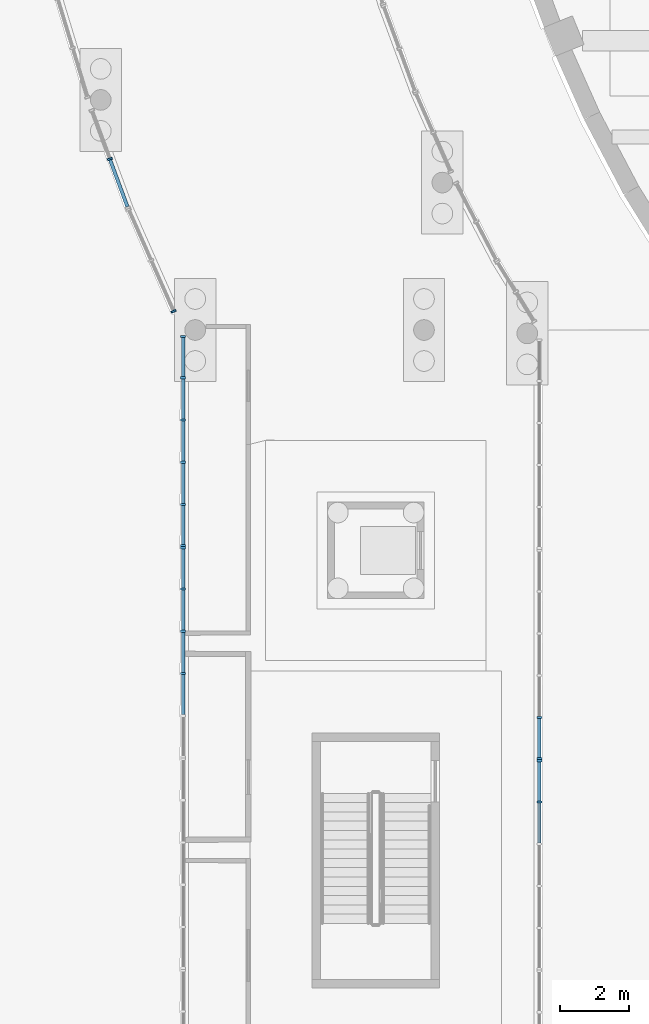
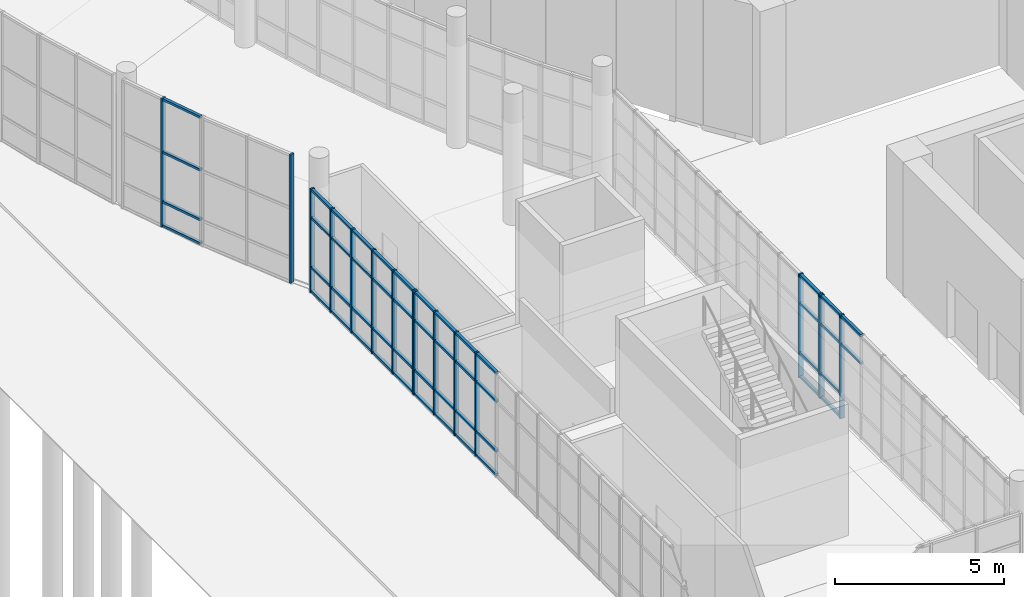
# One storey, part 14 of 110: 66 members, 6 elements without a shape of their own.
"""IFC4 building model written with IfcOpenShell, lengths in metres."""

from ifc_helpers import new_model, si_unit, direction, frame, origin, origin_2d, place, context, subcontext, project, spatial, rectangle, extrude, material, layer, layer_set, material_profile, profile_set, type_object, element, aggregate, save


model = new_model("IFC4")

# Units and contexts
model_context = context("Model", 3, precision=1e-05, world=origin(), true_north=direction((0.0, 1.0)))
body_context = subcontext(model_context, "Body", "Model", "MODEL_VIEW")
ifc_project = project(units=[si_unit("LENGTHUNIT", "METRE"), si_unit("AREAUNIT", "SQUARE_METRE"), si_unit("VOLUMEUNIT", "CUBIC_METRE"), si_unit("PLANEANGLEUNIT", "RADIAN"), si_unit("MASSUNIT", "GRAM", prefix="KILO")], contexts=[model_context])

# Site, building, storey
site_placement = place(None, origin())
site = spatial("IfcSite", under=ifc_project, at=site_placement, CompositionType="ELEMENT")
building_placement = place(site_placement, origin())
building = spatial("IfcBuilding", under=site, at=building_placement, Name="Larchfold Concert Hall", CompositionType="ELEMENT")
storey_placement = place(building_placement, origin())
storey = spatial("IfcBuildingStorey", under=building, at=storey_placement, Name="L00", CompositionType="ELEMENT", Elevation=0.0)

# Curtain wall, member
ifc_material_1 = material(Name="Anodised graphite aluminium curtain wall", Category="aluminium")
ifc_layer = layer(ifc_material_1, 0.14990234375)
ifc_layer_set = layer_set([ifc_layer], Name="Anodised graphite aluminium curtain wall")
curtain_wall_type = type_object("IfcCurtainWallType", Name="Curtain wall WG", PredefinedType="NOTDEFINED", material=ifc_layer_set)
curtain_wall_1_placement = place(storey_placement, origin())
curtain_wall_1 = element("IfcCurtainWall", 1, at=curtain_wall_1_placement, inside=storey, type_object=curtain_wall_type, Name="Curtain wall CW0125", PredefinedType="NOTDEFINED")
ifc_material_2 = material(Name="Anodised graphite aluminium mullion", Category="aluminium")
ifc_material_profile_1 = material_profile(ifc_material_2, rectangle(XDim=0.14990234375, YDim=0.06005859375, at=origin_2d()))
ifc_profile_set_1 = profile_set([ifc_material_profile_1], Name="Anodised graphite aluminium mullion")
member_type_1 = type_object("IfcMemberType", Name="Aluminium mullion 60x150", PredefinedType="MULLION", material=ifc_profile_set_1)
member_1_placement = place(storey_placement, frame((8.2783203125, 64.364013671875, 0.0), z_axis=(0.0, 0.0, 1.0), x_axis=(0.938015834921, 0.346592402451, 0.0)))
member_1 = element("IfcMember", 2, at=member_1_placement, type_object=member_type_1, Name="CW0125 mullion 2", PredefinedType="MULLION", context=body_context, shape_type="SweptSolid", body=[
    extrude(rectangle(XDim=0.14990234375, YDim=0.06005859375, at=origin_2d()), origin(), (0.0, 0.0, 1.0), 4.64990234375),
])

curtain_wall_2_placement = place(storey_placement, origin())
curtain_wall_2 = element("IfcCurtainWall", 3, at=curtain_wall_2_placement, inside=storey, type_object=curtain_wall_type, Name="Curtain wall CW0126", PredefinedType="NOTDEFINED")
member_2_placement = place(storey_placement, frame((10.127685546875, 59.941650390625, 0.0), z_axis=(0.0, 0.0, 1.0), x_axis=(0.914703196701, 0.404126294549, 0.0)))
member_2 = element("IfcMember", 4, at=member_2_placement, type_object=member_type_1, Name="CW0126 mullion 3", PredefinedType="MULLION", context=body_context, shape_type="SweptSolid", body=[
    extrude(rectangle(XDim=0.14990234375, YDim=0.06005859375, at=origin_2d()), origin(), (0.0, 0.0, 1.0), 4.64990234375),
])
aggregate(curtain_wall_2, [member_2])

# Curtain wall, members
curtain_wall_3_placement = place(storey_placement, origin())
curtain_wall_3 = element("IfcCurtainWall", 5, at=curtain_wall_3_placement, inside=storey, type_object=curtain_wall_type, Name="Curtain wall CW0127", PredefinedType="NOTDEFINED")
member_3_placement = place(storey_placement, frame((10.408447265625, 59.211181640625, 0.0), z_axis=(0.0, 0.0, 1.0), x_axis=(1.0, 0.0, 0.0)))
member_3 = element("IfcMember", 6, at=member_3_placement, type_object=member_type_1, Name="CW0127 mullion 1", PredefinedType="MULLION", context=body_context, shape_type="SweptSolid", body=[
    extrude(rectangle(XDim=0.14990234375, YDim=0.06005859375, at=origin_2d()), origin(), (0.0, 0.0, 1.0), 3.75),
])
member_4_placement = place(storey_placement, frame((10.408447265625, 58.0146484375, 0.0), z_axis=(0.0, 0.0, 1.0), x_axis=(1.0, 0.0, 0.0)))
member_4 = element("IfcMember", 7, at=member_4_placement, type_object=member_type_1, Name="CW0127 mullion 2", PredefinedType="MULLION", context=body_context, shape_type="SweptSolid", body=[
    extrude(rectangle(XDim=0.14990234375, YDim=0.06005859375, at=origin_2d()), origin(), (0.0, 0.0, 1.0), 3.75),
])
member_5_placement = place(storey_placement, frame((10.408447265625, 56.7880859375, 0.0), z_axis=(0.0, 0.0, 1.0), x_axis=(1.0, 0.0, 0.0)))
member_5 = element("IfcMember", 8, at=member_5_placement, type_object=member_type_1, Name="CW0127 mullion 3", PredefinedType="MULLION", context=body_context, shape_type="SweptSolid", body=[
    extrude(rectangle(XDim=0.14990234375, YDim=0.06005859375, at=origin_2d()), origin(), (0.0, 0.0, 1.0), 3.75),
])
member_6_placement = place(storey_placement, frame((10.408447265625, 55.561279296875, 0.0), z_axis=(0.0, 0.0, 1.0), x_axis=(1.0, 0.0, 0.0)))
member_6 = element("IfcMember", 9, at=member_6_placement, type_object=member_type_1, Name="CW0127 mullion 4", PredefinedType="MULLION", context=body_context, shape_type="SweptSolid", body=[
    extrude(rectangle(XDim=0.14990234375, YDim=0.06005859375, at=origin_2d()), origin(), (0.0, 0.0, 1.0), 3.75),
])
member_7_placement = place(storey_placement, frame((10.408447265625, 54.334716796875, 0.0), z_axis=(0.0, 0.0, 1.0), x_axis=(1.0, 0.0, 0.0)))
member_7 = element("IfcMember", 10, at=member_7_placement, type_object=member_type_1, Name="CW0127 mullion 5", PredefinedType="MULLION", context=body_context, shape_type="SweptSolid", body=[
    extrude(rectangle(XDim=0.14990234375, YDim=0.06005859375, at=origin_2d()), origin(), (0.0, 0.0, 1.0), 3.75),
])
member_8_placement = place(storey_placement, frame((10.408447265625, 53.13818359375, 0.0), z_axis=(0.0, 0.0, 1.0), x_axis=(1.0, 0.0, 0.0)))
member_8 = element("IfcMember", 11, at=member_8_placement, type_object=member_type_1, Name="CW0127 mullion 6", PredefinedType="MULLION", context=body_context, shape_type="SweptSolid", body=[
    extrude(rectangle(XDim=0.14990234375, YDim=0.06005859375, at=origin_2d()), origin(), (0.0, 0.0, 1.0), 3.75),
])

curtain_wall_4_placement = place(storey_placement, origin())
curtain_wall_4 = element("IfcCurtainWall", 12, at=curtain_wall_4_placement, inside=storey, type_object=curtain_wall_type, Name="Curtain wall CW0128", PredefinedType="NOTDEFINED")
member_9_placement = place(storey_placement, frame((10.408447265625, 53.078125, 0.0), z_axis=(0.0, 0.0, 1.0), x_axis=(1.0, 0.0, 0.0)))
member_9 = element("IfcMember", 13, at=member_9_placement, type_object=member_type_1, Name="CW0128 mullion 1", PredefinedType="MULLION", context=body_context, shape_type="SweptSolid", body=[
    extrude(rectangle(XDim=0.14990234375, YDim=0.06005859375, at=origin_2d()), origin(), (0.0, 0.0, 1.0), 3.75),
])
member_10_placement = place(storey_placement, frame((10.408447265625, 51.881591796875, 0.0), z_axis=(0.0, 0.0, 1.0), x_axis=(1.0, 0.0, 0.0)))
member_10 = element("IfcMember", 14, at=member_10_placement, type_object=member_type_1, Name="CW0128 mullion 2", PredefinedType="MULLION", context=body_context, shape_type="SweptSolid", body=[
    extrude(rectangle(XDim=0.14990234375, YDim=0.06005859375, at=origin_2d()), origin(), (0.0, 0.0, 1.0), 3.75),
])
member_11_placement = place(storey_placement, frame((10.408447265625, 50.655029296875, 0.0), z_axis=(0.0, 0.0, 1.0), x_axis=(1.0, 0.0, 0.0)))
member_11 = element("IfcMember", 15, at=member_11_placement, type_object=member_type_1, Name="CW0128 mullion 3", PredefinedType="MULLION", context=body_context, shape_type="SweptSolid", body=[
    extrude(rectangle(XDim=0.14990234375, YDim=0.06005859375, at=origin_2d()), origin(), (0.0, 0.0, 1.0), 3.75),
])
member_12_placement = place(storey_placement, frame((10.408447265625, 49.42822265625, 0.0), z_axis=(0.0, 0.0, 1.0), x_axis=(1.0, 0.0, 0.0)))
member_12 = element("IfcMember", 16, at=member_12_placement, type_object=member_type_1, Name="CW0128 mullion 4", PredefinedType="MULLION", context=body_context, shape_type="SweptSolid", body=[
    extrude(rectangle(XDim=0.14990234375, YDim=0.06005859375, at=origin_2d()), origin(), (0.0, 0.0, 1.0), 3.75),
])

curtain_wall_5_placement = place(storey_placement, origin())
curtain_wall_5 = element("IfcCurtainWall", 17, at=curtain_wall_5_placement, inside=storey, type_object=curtain_wall_type, Name="Curtain wall CW0134", PredefinedType="NOTDEFINED")
member_13_placement = place(storey_placement, frame((20.748779296875, 45.703857421875, 0.0), z_axis=(0.0, 0.0, 1.0), x_axis=(-1.0, 0.0, 0.0)))
member_13 = element("IfcMember", 18, at=member_13_placement, type_object=member_type_1, Name="CW0134 mullion 5", PredefinedType="MULLION", context=body_context, shape_type="SweptSolid", body=[
    extrude(rectangle(XDim=0.14990234375, YDim=0.06005859375, at=origin_2d()), origin(), (0.0, 0.0, 1.0), 3.75),
])
member_14_placement = place(storey_placement, frame((20.748779296875, 46.8955078125, 0.0), z_axis=(0.0, 0.0, 1.0), x_axis=(-1.0, 0.0, 0.0)))
member_14 = element("IfcMember", 19, at=member_14_placement, type_object=member_type_1, Name="CW0134 mullion 6", PredefinedType="MULLION", context=body_context, shape_type="SweptSolid", body=[
    extrude(rectangle(XDim=0.14990234375, YDim=0.06005859375, at=origin_2d()), origin(), (0.0, 0.0, 1.0), 3.75),
])

curtain_wall_6_placement = place(storey_placement, origin())
curtain_wall_6 = element("IfcCurtainWall", 20, at=curtain_wall_6_placement, inside=storey, type_object=curtain_wall_type, Name="Curtain wall CW0135", PredefinedType="NOTDEFINED")
member_15_placement = place(storey_placement, frame((20.748779296875, 46.95556640625, 0.0), z_axis=(0.0, 0.0, 1.0), x_axis=(-1.0, 0.0, 0.0)))
member_15 = element("IfcMember", 21, at=member_15_placement, type_object=member_type_1, Name="CW0135 mullion 1", PredefinedType="MULLION", context=body_context, shape_type="SweptSolid", body=[
    extrude(rectangle(XDim=0.14990234375, YDim=0.06005859375, at=origin_2d()), origin(), (0.0, 0.0, 1.0), 3.75),
])
member_16_placement = place(storey_placement, frame((20.748779296875, 48.147216796875, 0.0), z_axis=(0.0, 0.0, 1.0), x_axis=(-1.0, 0.0, 0.0)))
member_16 = element("IfcMember", 22, at=member_16_placement, type_object=member_type_1, Name="CW0135 mullion 2", PredefinedType="MULLION", context=body_context, shape_type="SweptSolid", body=[
    extrude(rectangle(XDim=0.14990234375, YDim=0.06005859375, at=origin_2d()), origin(), (0.0, 0.0, 1.0), 3.75),
])

# Member
ifc_material_3 = material(Name="Anodised graphite aluminium transom", Category="aluminium")
ifc_material_profile_2 = material_profile(ifc_material_3, rectangle(XDim=0.10009765625, YDim=0.080078125, at=origin_2d()))
ifc_profile_set_2 = profile_set([ifc_material_profile_2], Name="Anodised graphite aluminium transom")
member_type_2 = type_object("IfcMemberType", Name="Aluminium transom 80x100", PredefinedType="USERDEFINED", material=ifc_profile_set_2)
member_17_placement = place(storey_placement, frame((8.28857421875, 64.3359375, 0.0400390625), z_axis=(0.346643684981, -0.937996884676, 0.0), x_axis=(0.937996884676, 0.346643684981, 0.0)))
member_17 = element("IfcMember", 23, at=member_17_placement, type_object=member_type_2, Name="CW0125 transom 2.1", ObjectType="TRANSOM", PredefinedType="USERDEFINED", context=body_context, shape_type="SweptSolid", body=[
    extrude(rectangle(XDim=0.10009765625, YDim=0.080078125, at=origin_2d()), origin(), (0.0, 0.0, 1.0), 1.446533203125),
])

member_18_placement = place(storey_placement, frame((8.28857421875, 64.3359375, 0.89990234375), z_axis=(0.346643684981, -0.937996884676, 0.0), x_axis=(0.937996884676, 0.346643684981, 0.0)))
member_18 = element("IfcMember", 24, at=member_18_placement, type_object=member_type_2, Name="CW0125 transom 2.2", ObjectType="TRANSOM", PredefinedType="USERDEFINED", context=body_context, shape_type="SweptSolid", body=[
    extrude(rectangle(XDim=0.10009765625, YDim=0.080078125, at=origin_2d()), origin(), (0.0, 0.0, 1.0), 1.446533203125),
])

member_19_placement = place(storey_placement, frame((8.28857421875, 64.3359375, 2.699951171875), z_axis=(0.346643684981, -0.937996884676, 0.0), x_axis=(0.937996884676, 0.346643684981, 0.0)))
member_19 = element("IfcMember", 25, at=member_19_placement, type_object=member_type_2, Name="CW0125 transom 2.3", ObjectType="TRANSOM", PredefinedType="USERDEFINED", context=body_context, shape_type="SweptSolid", body=[
    extrude(rectangle(XDim=0.10009765625, YDim=0.080078125, at=origin_2d()), origin(), (0.0, 0.0, 1.0), 1.446533203125),
])

member_20_placement = place(storey_placement, frame((8.28857421875, 64.3359375, 4.60986328125), z_axis=(0.346643684981, -0.937996884676, 0.0), x_axis=(0.937996884676, 0.346643684981, 0.0)))
member_20 = element("IfcMember", 26, at=member_20_placement, type_object=member_type_2, Name="CW0125 transom 2.4", ObjectType="TRANSOM", PredefinedType="USERDEFINED", context=body_context, shape_type="SweptSolid", body=[
    extrude(rectangle(XDim=0.10009765625, YDim=0.080078125, at=origin_2d()), origin(), (0.0, 0.0, 1.0), 1.446533203125),
])

aggregate(curtain_wall_1, [member_1, member_17, member_18, member_19, member_20])

member_21_placement = place(storey_placement, frame((10.408447265625, 59.18115234375, 0.0400390625), z_axis=(0.0, -1.0, 0.0), x_axis=(1.0, 0.0, 0.0)))
member_21 = element("IfcMember", 27, at=member_21_placement, type_object=member_type_2, Name="CW0127 transom 1.1", ObjectType="TRANSOM", PredefinedType="USERDEFINED", context=body_context, shape_type="SweptSolid", body=[
    extrude(rectangle(XDim=0.10009765625, YDim=0.080078125, at=origin_2d()), origin(), (0.0, 0.0, 1.0), 1.136474609375),
])

member_22_placement = place(storey_placement, frame((10.408447265625, 59.18115234375, 0.89990234375), z_axis=(0.0, -1.0, 0.0), x_axis=(1.0, 0.0, 0.0)))
member_22 = element("IfcMember", 28, at=member_22_placement, type_object=member_type_2, Name="CW0127 transom 1.2", ObjectType="TRANSOM", PredefinedType="USERDEFINED", context=body_context, shape_type="SweptSolid", body=[
    extrude(rectangle(XDim=0.10009765625, YDim=0.080078125, at=origin_2d()), origin(), (0.0, 0.0, 1.0), 1.136474609375),
])

member_23_placement = place(storey_placement, frame((10.408447265625, 59.18115234375, 2.699951171875), z_axis=(0.0, -1.0, 0.0), x_axis=(1.0, 0.0, 0.0)))
member_23 = element("IfcMember", 29, at=member_23_placement, type_object=member_type_2, Name="CW0127 transom 1.3", ObjectType="TRANSOM", PredefinedType="USERDEFINED", context=body_context, shape_type="SweptSolid", body=[
    extrude(rectangle(XDim=0.10009765625, YDim=0.080078125, at=origin_2d()), origin(), (0.0, 0.0, 1.0), 1.136474609375),
])

member_24_placement = place(storey_placement, frame((10.408447265625, 59.18115234375, 3.7099609375), z_axis=(0.0, -1.0, 0.0), x_axis=(1.0, 0.0, 0.0)))
member_24 = element("IfcMember", 30, at=member_24_placement, type_object=member_type_2, Name="CW0127 transom 1.4", ObjectType="TRANSOM", PredefinedType="USERDEFINED", context=body_context, shape_type="SweptSolid", body=[
    extrude(rectangle(XDim=0.10009765625, YDim=0.080078125, at=origin_2d()), origin(), (0.0, 0.0, 1.0), 1.136474609375),
])

member_25_placement = place(storey_placement, frame((10.408447265625, 57.984619140625, 0.0400390625), z_axis=(0.0, -1.0, 0.0), x_axis=(1.0, 0.0, 0.0)))
member_25 = element("IfcMember", 31, at=member_25_placement, type_object=member_type_2, Name="CW0127 transom 2.1", ObjectType="TRANSOM", PredefinedType="USERDEFINED", context=body_context, shape_type="SweptSolid", body=[
    extrude(rectangle(XDim=0.10009765625, YDim=0.080078125, at=origin_2d()), origin(), (0.0, 0.0, 1.0), 1.166748046875),
])

member_26_placement = place(storey_placement, frame((10.408447265625, 57.984619140625, 0.89990234375), z_axis=(0.0, -1.0, 0.0), x_axis=(1.0, 0.0, 0.0)))
member_26 = element("IfcMember", 32, at=member_26_placement, type_object=member_type_2, Name="CW0127 transom 2.2", ObjectType="TRANSOM", PredefinedType="USERDEFINED", context=body_context, shape_type="SweptSolid", body=[
    extrude(rectangle(XDim=0.10009765625, YDim=0.080078125, at=origin_2d()), origin(), (0.0, 0.0, 1.0), 1.166748046875),
])

member_27_placement = place(storey_placement, frame((10.408447265625, 57.984619140625, 2.699951171875), z_axis=(0.0, -1.0, 0.0), x_axis=(1.0, 0.0, 0.0)))
member_27 = element("IfcMember", 33, at=member_27_placement, type_object=member_type_2, Name="CW0127 transom 2.3", ObjectType="TRANSOM", PredefinedType="USERDEFINED", context=body_context, shape_type="SweptSolid", body=[
    extrude(rectangle(XDim=0.10009765625, YDim=0.080078125, at=origin_2d()), origin(), (0.0, 0.0, 1.0), 1.166748046875),
])

member_28_placement = place(storey_placement, frame((10.408447265625, 57.984619140625, 3.7099609375), z_axis=(0.0, -1.0, 0.0), x_axis=(1.0, 0.0, 0.0)))
member_28 = element("IfcMember", 34, at=member_28_placement, type_object=member_type_2, Name="CW0127 transom 2.4", ObjectType="TRANSOM", PredefinedType="USERDEFINED", context=body_context, shape_type="SweptSolid", body=[
    extrude(rectangle(XDim=0.10009765625, YDim=0.080078125, at=origin_2d()), origin(), (0.0, 0.0, 1.0), 1.166748046875),
])

member_29_placement = place(storey_placement, frame((10.408447265625, 56.758056640625, 0.0400390625), z_axis=(0.0, -1.0, 0.0), x_axis=(1.0, 0.0, 0.0)))
member_29 = element("IfcMember", 35, at=member_29_placement, type_object=member_type_2, Name="CW0127 transom 3.1", ObjectType="TRANSOM", PredefinedType="USERDEFINED", context=body_context, shape_type="SweptSolid", body=[
    extrude(rectangle(XDim=0.10009765625, YDim=0.080078125, at=origin_2d()), origin(), (0.0, 0.0, 1.0), 1.166748046875),
])

member_30_placement = place(storey_placement, frame((10.408447265625, 56.758056640625, 0.89990234375), z_axis=(0.0, -1.0, 0.0), x_axis=(1.0, 0.0, 0.0)))
member_30 = element("IfcMember", 36, at=member_30_placement, type_object=member_type_2, Name="CW0127 transom 3.2", ObjectType="TRANSOM", PredefinedType="USERDEFINED", context=body_context, shape_type="SweptSolid", body=[
    extrude(rectangle(XDim=0.10009765625, YDim=0.080078125, at=origin_2d()), origin(), (0.0, 0.0, 1.0), 1.166748046875),
])

member_31_placement = place(storey_placement, frame((10.408447265625, 56.758056640625, 2.699951171875), z_axis=(0.0, -1.0, 0.0), x_axis=(1.0, 0.0, 0.0)))
member_31 = element("IfcMember", 37, at=member_31_placement, type_object=member_type_2, Name="CW0127 transom 3.3", ObjectType="TRANSOM", PredefinedType="USERDEFINED", context=body_context, shape_type="SweptSolid", body=[
    extrude(rectangle(XDim=0.10009765625, YDim=0.080078125, at=origin_2d()), origin(), (0.0, 0.0, 1.0), 1.166748046875),
])

member_32_placement = place(storey_placement, frame((10.408447265625, 56.758056640625, 3.7099609375), z_axis=(0.0, -1.0, 0.0), x_axis=(1.0, 0.0, 0.0)))
member_32 = element("IfcMember", 38, at=member_32_placement, type_object=member_type_2, Name="CW0127 transom 3.4", ObjectType="TRANSOM", PredefinedType="USERDEFINED", context=body_context, shape_type="SweptSolid", body=[
    extrude(rectangle(XDim=0.10009765625, YDim=0.080078125, at=origin_2d()), origin(), (0.0, 0.0, 1.0), 1.166748046875),
])

member_33_placement = place(storey_placement, frame((10.408447265625, 55.531494140625, 0.0400390625), z_axis=(0.0, -1.0, 0.0), x_axis=(1.0, 0.0, 0.0)))
member_33 = element("IfcMember", 39, at=member_33_placement, type_object=member_type_2, Name="CW0127 transom 4.1", ObjectType="TRANSOM", PredefinedType="USERDEFINED", context=body_context, shape_type="SweptSolid", body=[
    extrude(rectangle(XDim=0.10009765625, YDim=0.080078125, at=origin_2d()), origin(), (0.0, 0.0, 1.0), 1.166748046875),
])

member_34_placement = place(storey_placement, frame((10.408447265625, 55.531494140625, 0.89990234375), z_axis=(0.0, -1.0, 0.0), x_axis=(1.0, 0.0, 0.0)))
member_34 = element("IfcMember", 40, at=member_34_placement, type_object=member_type_2, Name="CW0127 transom 4.2", ObjectType="TRANSOM", PredefinedType="USERDEFINED", context=body_context, shape_type="SweptSolid", body=[
    extrude(rectangle(XDim=0.10009765625, YDim=0.080078125, at=origin_2d()), origin(), (0.0, 0.0, 1.0), 1.166748046875),
])

member_35_placement = place(storey_placement, frame((10.408447265625, 55.531494140625, 2.699951171875), z_axis=(0.0, -1.0, 0.0), x_axis=(1.0, 0.0, 0.0)))
member_35 = element("IfcMember", 41, at=member_35_placement, type_object=member_type_2, Name="CW0127 transom 4.3", ObjectType="TRANSOM", PredefinedType="USERDEFINED", context=body_context, shape_type="SweptSolid", body=[
    extrude(rectangle(XDim=0.10009765625, YDim=0.080078125, at=origin_2d()), origin(), (0.0, 0.0, 1.0), 1.166748046875),
])

member_36_placement = place(storey_placement, frame((10.408447265625, 55.531494140625, 3.7099609375), z_axis=(0.0, -1.0, 0.0), x_axis=(1.0, 0.0, 0.0)))
member_36 = element("IfcMember", 42, at=member_36_placement, type_object=member_type_2, Name="CW0127 transom 4.4", ObjectType="TRANSOM", PredefinedType="USERDEFINED", context=body_context, shape_type="SweptSolid", body=[
    extrude(rectangle(XDim=0.10009765625, YDim=0.080078125, at=origin_2d()), origin(), (0.0, 0.0, 1.0), 1.166748046875),
])

member_37_placement = place(storey_placement, frame((10.408447265625, 54.3046875, 0.0400390625), z_axis=(0.0, -1.0, 0.0), x_axis=(1.0, 0.0, 0.0)))
member_37 = element("IfcMember", 43, at=member_37_placement, type_object=member_type_2, Name="CW0127 transom 5.1", ObjectType="TRANSOM", PredefinedType="USERDEFINED", context=body_context, shape_type="SweptSolid", body=[
    extrude(rectangle(XDim=0.10009765625, YDim=0.080078125, at=origin_2d()), origin(), (0.0, 0.0, 1.0), 1.136474609375),
])

member_38_placement = place(storey_placement, frame((10.408447265625, 54.3046875, 0.89990234375), z_axis=(0.0, -1.0, 0.0), x_axis=(1.0, 0.0, 0.0)))
member_38 = element("IfcMember", 44, at=member_38_placement, type_object=member_type_2, Name="CW0127 transom 5.2", ObjectType="TRANSOM", PredefinedType="USERDEFINED", context=body_context, shape_type="SweptSolid", body=[
    extrude(rectangle(XDim=0.10009765625, YDim=0.080078125, at=origin_2d()), origin(), (0.0, 0.0, 1.0), 1.136474609375),
])

member_39_placement = place(storey_placement, frame((10.408447265625, 54.3046875, 2.699951171875), z_axis=(0.0, -1.0, 0.0), x_axis=(1.0, 0.0, 0.0)))
member_39 = element("IfcMember", 45, at=member_39_placement, type_object=member_type_2, Name="CW0127 transom 5.3", ObjectType="TRANSOM", PredefinedType="USERDEFINED", context=body_context, shape_type="SweptSolid", body=[
    extrude(rectangle(XDim=0.10009765625, YDim=0.080078125, at=origin_2d()), origin(), (0.0, 0.0, 1.0), 1.136474609375),
])

member_40_placement = place(storey_placement, frame((10.408447265625, 54.3046875, 3.7099609375), z_axis=(0.0, -1.0, 0.0), x_axis=(1.0, 0.0, 0.0)))
member_40 = element("IfcMember", 46, at=member_40_placement, type_object=member_type_2, Name="CW0127 transom 5.4", ObjectType="TRANSOM", PredefinedType="USERDEFINED", context=body_context, shape_type="SweptSolid", body=[
    extrude(rectangle(XDim=0.10009765625, YDim=0.080078125, at=origin_2d()), origin(), (0.0, 0.0, 1.0), 1.136474609375),
])

aggregate(curtain_wall_3, [member_3, member_4, member_5, member_6, member_7, member_8, member_21, member_22, member_23, member_24, member_25, member_26, member_27, member_28, member_29, member_30, member_31, member_32, member_33, member_34, member_35, member_36, member_37, member_38, member_39, member_40])

member_41_placement = place(storey_placement, frame((10.408447265625, 53.048095703125, 0.0400390625), z_axis=(0.0, -1.0, 0.0), x_axis=(1.0, 0.0, 0.0)))
member_41 = element("IfcMember", 47, at=member_41_placement, type_object=member_type_2, Name="CW0128 transom 1.1", ObjectType="TRANSOM", PredefinedType="USERDEFINED", context=body_context, shape_type="SweptSolid", body=[
    extrude(rectangle(XDim=0.10009765625, YDim=0.080078125, at=origin_2d()), origin(), (0.0, 0.0, 1.0), 1.136474609375),
])

member_42_placement = place(storey_placement, frame((10.408447265625, 53.048095703125, 0.89990234375), z_axis=(0.0, -1.0, 0.0), x_axis=(1.0, 0.0, 0.0)))
member_42 = element("IfcMember", 48, at=member_42_placement, type_object=member_type_2, Name="CW0128 transom 1.2", ObjectType="TRANSOM", PredefinedType="USERDEFINED", context=body_context, shape_type="SweptSolid", body=[
    extrude(rectangle(XDim=0.10009765625, YDim=0.080078125, at=origin_2d()), origin(), (0.0, 0.0, 1.0), 1.136474609375),
])

member_43_placement = place(storey_placement, frame((10.408447265625, 53.048095703125, 2.699951171875), z_axis=(0.0, -1.0, 0.0), x_axis=(1.0, 0.0, 0.0)))
member_43 = element("IfcMember", 49, at=member_43_placement, type_object=member_type_2, Name="CW0128 transom 1.3", ObjectType="TRANSOM", PredefinedType="USERDEFINED", context=body_context, shape_type="SweptSolid", body=[
    extrude(rectangle(XDim=0.10009765625, YDim=0.080078125, at=origin_2d()), origin(), (0.0, 0.0, 1.0), 1.136474609375),
])

member_44_placement = place(storey_placement, frame((10.408447265625, 53.048095703125, 3.7099609375), z_axis=(0.0, -1.0, 0.0), x_axis=(1.0, 0.0, 0.0)))
member_44 = element("IfcMember", 50, at=member_44_placement, type_object=member_type_2, Name="CW0128 transom 1.4", ObjectType="TRANSOM", PredefinedType="USERDEFINED", context=body_context, shape_type="SweptSolid", body=[
    extrude(rectangle(XDim=0.10009765625, YDim=0.080078125, at=origin_2d()), origin(), (0.0, 0.0, 1.0), 1.136474609375),
])

member_45_placement = place(storey_placement, frame((10.408447265625, 51.8515625, 0.0400390625), z_axis=(0.0, -1.0, 0.0), x_axis=(1.0, 0.0, 0.0)))
member_45 = element("IfcMember", 51, at=member_45_placement, type_object=member_type_2, Name="CW0128 transom 2.1", ObjectType="TRANSOM", PredefinedType="USERDEFINED", context=body_context, shape_type="SweptSolid", body=[
    extrude(rectangle(XDim=0.10009765625, YDim=0.080078125, at=origin_2d()), origin(), (0.0, 0.0, 1.0), 1.166748046875),
])

member_46_placement = place(storey_placement, frame((10.408447265625, 51.8515625, 0.89990234375), z_axis=(0.0, -1.0, 0.0), x_axis=(1.0, 0.0, 0.0)))
member_46 = element("IfcMember", 52, at=member_46_placement, type_object=member_type_2, Name="CW0128 transom 2.2", ObjectType="TRANSOM", PredefinedType="USERDEFINED", context=body_context, shape_type="SweptSolid", body=[
    extrude(rectangle(XDim=0.10009765625, YDim=0.080078125, at=origin_2d()), origin(), (0.0, 0.0, 1.0), 1.166748046875),
])

member_47_placement = place(storey_placement, frame((10.408447265625, 51.8515625, 2.699951171875), z_axis=(0.0, -1.0, 0.0), x_axis=(1.0, 0.0, 0.0)))
member_47 = element("IfcMember", 53, at=member_47_placement, type_object=member_type_2, Name="CW0128 transom 2.3", ObjectType="TRANSOM", PredefinedType="USERDEFINED", context=body_context, shape_type="SweptSolid", body=[
    extrude(rectangle(XDim=0.10009765625, YDim=0.080078125, at=origin_2d()), origin(), (0.0, 0.0, 1.0), 1.166748046875),
])

member_48_placement = place(storey_placement, frame((10.408447265625, 51.8515625, 3.7099609375), z_axis=(0.0, -1.0, 0.0), x_axis=(1.0, 0.0, 0.0)))
member_48 = element("IfcMember", 54, at=member_48_placement, type_object=member_type_2, Name="CW0128 transom 2.4", ObjectType="TRANSOM", PredefinedType="USERDEFINED", context=body_context, shape_type="SweptSolid", body=[
    extrude(rectangle(XDim=0.10009765625, YDim=0.080078125, at=origin_2d()), origin(), (0.0, 0.0, 1.0), 1.166748046875),
])

member_49_placement = place(storey_placement, frame((10.408447265625, 50.625, 0.0400390625), z_axis=(0.0, -1.0, 0.0), x_axis=(1.0, 0.0, 0.0)))
member_49 = element("IfcMember", 55, at=member_49_placement, type_object=member_type_2, Name="CW0128 transom 3.1", ObjectType="TRANSOM", PredefinedType="USERDEFINED", context=body_context, shape_type="SweptSolid", body=[
    extrude(rectangle(XDim=0.10009765625, YDim=0.080078125, at=origin_2d()), origin(), (0.0, 0.0, 1.0), 1.166748046875),
])

member_50_placement = place(storey_placement, frame((10.408447265625, 50.625, 0.89990234375), z_axis=(0.0, -1.0, 0.0), x_axis=(1.0, 0.0, 0.0)))
member_50 = element("IfcMember", 56, at=member_50_placement, type_object=member_type_2, Name="CW0128 transom 3.2", ObjectType="TRANSOM", PredefinedType="USERDEFINED", context=body_context, shape_type="SweptSolid", body=[
    extrude(rectangle(XDim=0.10009765625, YDim=0.080078125, at=origin_2d()), origin(), (0.0, 0.0, 1.0), 1.166748046875),
])

member_51_placement = place(storey_placement, frame((10.408447265625, 50.625, 2.699951171875), z_axis=(0.0, -1.0, 0.0), x_axis=(1.0, 0.0, 0.0)))
member_51 = element("IfcMember", 57, at=member_51_placement, type_object=member_type_2, Name="CW0128 transom 3.3", ObjectType="TRANSOM", PredefinedType="USERDEFINED", context=body_context, shape_type="SweptSolid", body=[
    extrude(rectangle(XDim=0.10009765625, YDim=0.080078125, at=origin_2d()), origin(), (0.0, 0.0, 1.0), 1.166748046875),
])

member_52_placement = place(storey_placement, frame((10.408447265625, 50.625, 3.7099609375), z_axis=(0.0, -1.0, 0.0), x_axis=(1.0, 0.0, 0.0)))
member_52 = element("IfcMember", 58, at=member_52_placement, type_object=member_type_2, Name="CW0128 transom 3.4", ObjectType="TRANSOM", PredefinedType="USERDEFINED", context=body_context, shape_type="SweptSolid", body=[
    extrude(rectangle(XDim=0.10009765625, YDim=0.080078125, at=origin_2d()), origin(), (0.0, 0.0, 1.0), 1.166748046875),
])

member_53_placement = place(storey_placement, frame((10.408447265625, 49.3984375, 0.0400390625), z_axis=(0.0, -1.0, 0.0), x_axis=(1.0, 0.0, 0.0)))
member_53 = element("IfcMember", 59, at=member_53_placement, type_object=member_type_2, Name="CW0128 transom 4.1", ObjectType="TRANSOM", PredefinedType="USERDEFINED", context=body_context, shape_type="SweptSolid", body=[
    extrude(rectangle(XDim=0.10009765625, YDim=0.080078125, at=origin_2d()), origin(), (0.0, 0.0, 1.0), 1.166748046875),
])

member_54_placement = place(storey_placement, frame((10.408447265625, 49.3984375, 0.89990234375), z_axis=(0.0, -1.0, 0.0), x_axis=(1.0, 0.0, 0.0)))
member_54 = element("IfcMember", 60, at=member_54_placement, type_object=member_type_2, Name="CW0128 transom 4.2", ObjectType="TRANSOM", PredefinedType="USERDEFINED", context=body_context, shape_type="SweptSolid", body=[
    extrude(rectangle(XDim=0.10009765625, YDim=0.080078125, at=origin_2d()), origin(), (0.0, 0.0, 1.0), 1.166748046875),
])

member_55_placement = place(storey_placement, frame((10.408447265625, 49.3984375, 2.699951171875), z_axis=(0.0, -1.0, 0.0), x_axis=(1.0, 0.0, 0.0)))
member_55 = element("IfcMember", 61, at=member_55_placement, type_object=member_type_2, Name="CW0128 transom 4.3", ObjectType="TRANSOM", PredefinedType="USERDEFINED", context=body_context, shape_type="SweptSolid", body=[
    extrude(rectangle(XDim=0.10009765625, YDim=0.080078125, at=origin_2d()), origin(), (0.0, 0.0, 1.0), 1.166748046875),
])

member_56_placement = place(storey_placement, frame((10.408447265625, 49.3984375, 3.7099609375), z_axis=(0.0, -1.0, 0.0), x_axis=(1.0, 0.0, 0.0)))
member_56 = element("IfcMember", 62, at=member_56_placement, type_object=member_type_2, Name="CW0128 transom 4.4", ObjectType="TRANSOM", PredefinedType="USERDEFINED", context=body_context, shape_type="SweptSolid", body=[
    extrude(rectangle(XDim=0.10009765625, YDim=0.080078125, at=origin_2d()), origin(), (0.0, 0.0, 1.0), 1.166748046875),
])

aggregate(curtain_wall_4, [member_9, member_10, member_11, member_12, member_41, member_42, member_43, member_44, member_45, member_46, member_47, member_48, member_49, member_50, member_51, member_52, member_53, member_54, member_55, member_56])

member_57_placement = place(storey_placement, frame((20.748779296875, 44.511962890625, 2.699951171875), z_axis=(0.0, 1.0, 0.0), x_axis=(-1.0, 0.0, 0.0)))
member_57 = element("IfcMember", 63, at=member_57_placement, type_object=member_type_2, Name="CW0134 transom 4.3", ObjectType="TRANSOM", PredefinedType="USERDEFINED", context=body_context, shape_type="SweptSolid", body=[
    extrude(rectangle(XDim=0.10009765625, YDim=0.080078125, at=origin_2d()), origin(), (0.0, 0.0, 1.0), 1.161865234375),
])

member_58_placement = place(storey_placement, frame((20.748779296875, 44.511962890625, 3.7099609375), z_axis=(0.0, 1.0, 0.0), x_axis=(-1.0, 0.0, 0.0)))
member_58 = element("IfcMember", 64, at=member_58_placement, type_object=member_type_2, Name="CW0134 transom 4.4", ObjectType="TRANSOM", PredefinedType="USERDEFINED", context=body_context, shape_type="SweptSolid", body=[
    extrude(rectangle(XDim=0.10009765625, YDim=0.080078125, at=origin_2d()), origin(), (0.0, 0.0, 1.0), 1.161865234375),
])

member_59_placement = place(storey_placement, frame((20.748779296875, 45.73388671875, 0.0400390625), z_axis=(0.0, 1.0, 0.0), x_axis=(-1.0, 0.0, 0.0)))
member_59 = element("IfcMember", 65, at=member_59_placement, type_object=member_type_2, Name="CW0134 transom 5.1", ObjectType="TRANSOM", PredefinedType="USERDEFINED", context=body_context, shape_type="SweptSolid", body=[
    extrude(rectangle(XDim=0.10009765625, YDim=0.080078125, at=origin_2d()), origin(), (0.0, 0.0, 1.0), 1.131591796875),
])

member_60_placement = place(storey_placement, frame((20.748779296875, 45.73388671875, 0.89990234375), z_axis=(0.0, 1.0, 0.0), x_axis=(-1.0, 0.0, 0.0)))
member_60 = element("IfcMember", 66, at=member_60_placement, type_object=member_type_2, Name="CW0134 transom 5.2", ObjectType="TRANSOM", PredefinedType="USERDEFINED", context=body_context, shape_type="SweptSolid", body=[
    extrude(rectangle(XDim=0.10009765625, YDim=0.080078125, at=origin_2d()), origin(), (0.0, 0.0, 1.0), 1.131591796875),
])

member_61_placement = place(storey_placement, frame((20.748779296875, 45.73388671875, 2.699951171875), z_axis=(0.0, 1.0, 0.0), x_axis=(-1.0, 0.0, 0.0)))
member_61 = element("IfcMember", 67, at=member_61_placement, type_object=member_type_2, Name="CW0134 transom 5.3", ObjectType="TRANSOM", PredefinedType="USERDEFINED", context=body_context, shape_type="SweptSolid", body=[
    extrude(rectangle(XDim=0.10009765625, YDim=0.080078125, at=origin_2d()), origin(), (0.0, 0.0, 1.0), 1.131591796875),
])

member_62_placement = place(storey_placement, frame((20.748779296875, 45.73388671875, 3.7099609375), z_axis=(0.0, 1.0, 0.0), x_axis=(-1.0, 0.0, 0.0)))
member_62 = element("IfcMember", 68, at=member_62_placement, type_object=member_type_2, Name="CW0134 transom 5.4", ObjectType="TRANSOM", PredefinedType="USERDEFINED", context=body_context, shape_type="SweptSolid", body=[
    extrude(rectangle(XDim=0.10009765625, YDim=0.080078125, at=origin_2d()), origin(), (0.0, 0.0, 1.0), 1.131591796875),
])

aggregate(curtain_wall_5, [member_13, member_14, member_57, member_58, member_59, member_60, member_61, member_62])

member_63_placement = place(storey_placement, frame((20.748779296875, 46.985595703125, 0.0400390625), z_axis=(0.0, 1.0, 0.0), x_axis=(-1.0, 0.0, 0.0)))
member_63 = element("IfcMember", 69, at=member_63_placement, type_object=member_type_2, Name="CW0135 transom 1.1", ObjectType="TRANSOM", PredefinedType="USERDEFINED", context=body_context, shape_type="SweptSolid", body=[
    extrude(rectangle(XDim=0.10009765625, YDim=0.080078125, at=origin_2d()), origin(), (0.0, 0.0, 1.0), 1.131591796875),
])

member_64_placement = place(storey_placement, frame((20.748779296875, 46.985595703125, 0.89990234375), z_axis=(0.0, 1.0, 0.0), x_axis=(-1.0, 0.0, 0.0)))
member_64 = element("IfcMember", 70, at=member_64_placement, type_object=member_type_2, Name="CW0135 transom 1.2", ObjectType="TRANSOM", PredefinedType="USERDEFINED", context=body_context, shape_type="SweptSolid", body=[
    extrude(rectangle(XDim=0.10009765625, YDim=0.080078125, at=origin_2d()), origin(), (0.0, 0.0, 1.0), 1.131591796875),
])

member_65_placement = place(storey_placement, frame((20.748779296875, 46.985595703125, 2.699951171875), z_axis=(0.0, 1.0, 0.0), x_axis=(-1.0, 0.0, 0.0)))
member_65 = element("IfcMember", 71, at=member_65_placement, type_object=member_type_2, Name="CW0135 transom 1.3", ObjectType="TRANSOM", PredefinedType="USERDEFINED", context=body_context, shape_type="SweptSolid", body=[
    extrude(rectangle(XDim=0.10009765625, YDim=0.080078125, at=origin_2d()), origin(), (0.0, 0.0, 1.0), 1.131591796875),
])

member_66_placement = place(storey_placement, frame((20.748779296875, 46.985595703125, 3.7099609375), z_axis=(0.0, 1.0, 0.0), x_axis=(-1.0, 0.0, 0.0)))
member_66 = element("IfcMember", 72, at=member_66_placement, type_object=member_type_2, Name="CW0135 transom 1.4", ObjectType="TRANSOM", PredefinedType="USERDEFINED", context=body_context, shape_type="SweptSolid", body=[
    extrude(rectangle(XDim=0.10009765625, YDim=0.080078125, at=origin_2d()), origin(), (0.0, 0.0, 1.0), 1.131591796875),
])

aggregate(curtain_wall_6, [member_15, member_16, member_63, member_64, member_65, member_66])

save(model, "model.ifc")
